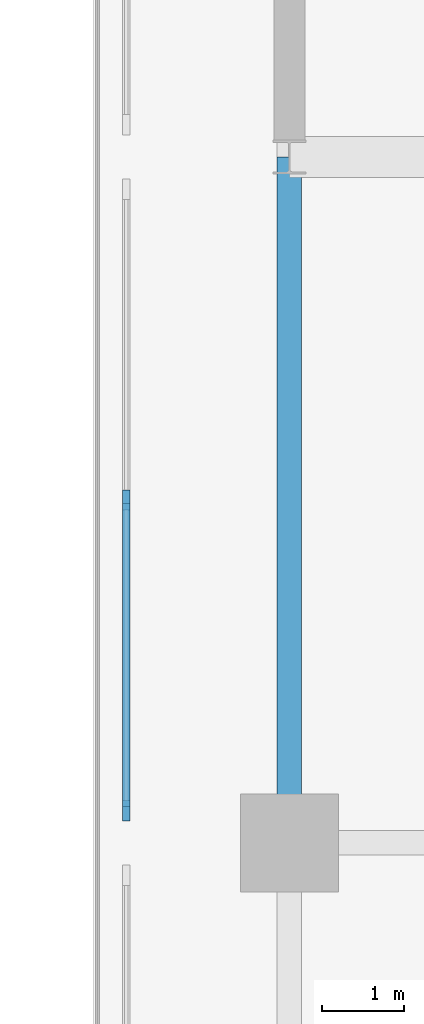
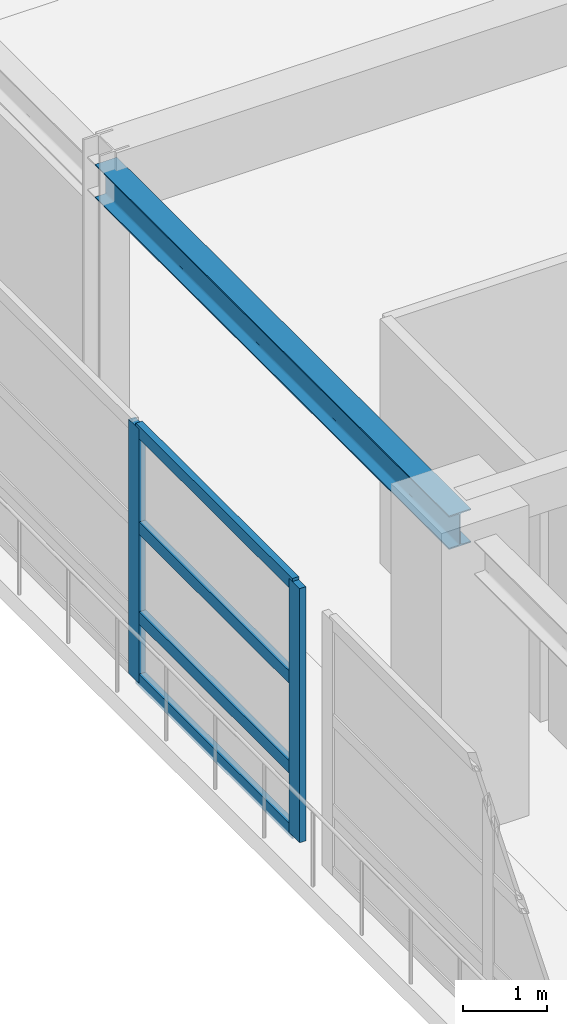
# One storey, part 21 of 65: 6 members, 1 beam, 1 element without a shape of its own.
"""IFC4 building model written with IfcOpenShell, lengths in metres."""

from ifc_helpers import new_model, si_unit, direction, frame, origin, origin_2d, place, context, subcontext, project, spatial, rectangle, i_section, extrude, material, material_profile, profile_set, type_object, element, aggregate, save


model = new_model("IFC4")

# Units and contexts
model_context = context("Model", 3, precision=1e-05, world=origin(), true_north=direction((0.0, 1.0)))
body_context = subcontext(model_context, "Body", "Model", "MODEL_VIEW")
ifc_project = project(units=[si_unit("LENGTHUNIT", "METRE"), si_unit("AREAUNIT", "SQUARE_METRE"), si_unit("VOLUMEUNIT", "CUBIC_METRE"), si_unit("PLANEANGLEUNIT", "RADIAN"), si_unit("MASSUNIT", "GRAM", prefix="KILO")], contexts=[model_context])

# Site, building, storey
site_placement = place(None, origin())
site = spatial("IfcSite", under=ifc_project, at=site_placement, CompositionType="ELEMENT")
building_placement = place(site_placement, origin())
building = spatial("IfcBuilding", under=site, at=building_placement, Name="Xuanlan Plaza Opera House", CompositionType="ELEMENT")
storey_placement = place(building_placement, frame((0.0, 0.0, 5.39990234375)))
storey = spatial("IfcBuildingStorey", under=building, at=storey_placement, Name="L01", CompositionType="ELEMENT", Elevation=5.39990234375)

# Curtain wall, members
ifc_material_1 = material(Name="Anodised Aluminium 6063-T6 and Low-E Glass", Category="aluminium")
curtain_wall_type = type_object("IfcCurtainWallType", Name="ENV-CW-CW-06", PredefinedType="USERDEFINED", material=ifc_material_1)
curtain_wall_placement = place(storey_placement, origin())
curtain_wall = element("IfcCurtainWall", 1, at=curtain_wall_placement, inside=storey, type_object=curtain_wall_type, Name="Acoustic Glazed Wall ATR-L01-23", ObjectType="ACOUSTIC GLAZED WALL", PredefinedType="USERDEFINED")
ifc_material_2 = material(Name="Anodised Aluminium 6063-T6", Category="aluminium")
ifc_material_profile_1 = material_profile(ifc_material_2, rectangle(XDim=0.090087890625, YDim=0.25, at=origin_2d()), Name="ALU-M 90x250")
ifc_profile_set_1 = profile_set([ifc_material_profile_1], Name="Anodised Aluminium 6063-T6")
member_type_1 = type_object("IfcMemberType", Name="ENV-CWM-05", PredefinedType="MULLION", material=ifc_profile_set_1)
member_1_placement = place(storey_placement, frame((124.0, 59.195068359375, 0.0), z_axis=(0.0, 0.0, 1.0), x_axis=(-1.0, 0.0, 0.0)))
member_1 = element("IfcMember", 2, at=member_1_placement, type_object=member_type_1, Name="CW-06 mullion 1", PredefinedType="MULLION", context=body_context, shape_type="SweptSolid", body=[
    extrude(rectangle(XDim=0.090087890625, YDim=0.25, at=origin_2d()), origin(), (0.0, 0.0, 1.0), 3.68017578125),
])
member_2_placement = place(storey_placement, frame((124.0, 63.0, 0.0), z_axis=(0.0, 0.0, 1.0), x_axis=(-1.0, 0.0, 0.0)))
member_2 = element("IfcMember", 3, at=member_2_placement, type_object=member_type_1, Name="CW-06 mullion 2", PredefinedType="MULLION", context=body_context, shape_type="SweptSolid", body=[
    extrude(rectangle(XDim=0.090087890625, YDim=0.25, at=origin_2d()), origin(), (0.0, 0.0, 1.0), 3.68017578125),
])
ifc_material_profile_2 = material_profile(ifc_material_2, rectangle(XDim=0.090087890625, YDim=0.179931640625, at=origin_2d()), Name="ALU-T 90x180")
ifc_profile_set_2 = profile_set([ifc_material_profile_2], Name="Anodised Aluminium 6063-T6")
member_type_2 = type_object("IfcMemberType", Name="ENV-CWT-05", PredefinedType="USERDEFINED", material=ifc_profile_set_2)
member_3_placement = place(storey_placement, frame((124.0, 59.239990234375, 0.045166015625), z_axis=(0.0, 1.0, 0.0), x_axis=(-1.0, 0.0, 0.0)))
member_3 = element("IfcMember", 4, at=member_3_placement, type_object=member_type_2, Name="CW-06 transom 1.1", ObjectType="TRANSOM", PredefinedType="USERDEFINED", context=body_context, shape_type="SweptSolid", body=[
    extrude(rectangle(XDim=0.090087890625, YDim=0.179931640625, at=origin_2d()), origin(), (0.0, 0.0, 1.0), 3.715087890625),
])
member_4_placement = place(storey_placement, frame((124.0, 59.239990234375, 0.9501953125), z_axis=(0.0, 1.0, 0.0), x_axis=(-1.0, 0.0, 0.0)))
member_4 = element("IfcMember", 5, at=member_4_placement, type_object=member_type_2, Name="CW-06 transom 1.2", ObjectType="TRANSOM", PredefinedType="USERDEFINED", context=body_context, shape_type="SweptSolid", body=[
    extrude(rectangle(XDim=0.090087890625, YDim=0.179931640625, at=origin_2d()), origin(), (0.0, 0.0, 1.0), 3.715087890625),
])
member_5_placement = place(storey_placement, frame((124.0, 59.239990234375, 2.25), z_axis=(0.0, 1.0, 0.0), x_axis=(-1.0, 0.0, 0.0)))
member_5 = element("IfcMember", 6, at=member_5_placement, type_object=member_type_2, Name="CW-06 transom 1.3", ObjectType="TRANSOM", PredefinedType="USERDEFINED", context=body_context, shape_type="SweptSolid", body=[
    extrude(rectangle(XDim=0.090087890625, YDim=0.179931640625, at=origin_2d()), origin(), (0.0, 0.0, 1.0), 3.715087890625),
])
member_6_placement = place(storey_placement, frame((124.0, 59.239990234375, 3.635009765625), z_axis=(0.0, 1.0, 0.0), x_axis=(-1.0, 0.0, 0.0)))
member_6 = element("IfcMember", 7, at=member_6_placement, type_object=member_type_2, Name="CW-06 transom 1.4", ObjectType="TRANSOM", PredefinedType="USERDEFINED", context=body_context, shape_type="SweptSolid", body=[
    extrude(rectangle(XDim=0.090087890625, YDim=0.179931640625, at=origin_2d()), origin(), (0.0, 0.0, 1.0), 3.715087890625),
])
aggregate(curtain_wall, [member_1, member_2, member_3, member_4, member_5, member_6])

# Beam
ifc_material_3 = material(Name="Steel Q355B", Category="steel")
ifc_material_profile_3 = material_profile(ifc_material_3, i_section(OverallWidth=0.300048828125, OverallDepth=0.488037109375, WebThickness=0.010986328125, FlangeThickness=0.01806640625, FilletRadius=0.02197265625, at=origin_2d()), Name="HM 488x300x11x18")
ifc_profile_set_3 = profile_set([ifc_material_profile_3], Name="Steel Q355B")
beam_type = type_object("IfcBeamType", Name="STR-BM-SB-07", PredefinedType="BEAM", material=ifc_profile_set_3)
beam_placement = place(storey_placement, frame((126.0, 58.800048828125, 3.9912109375), z_axis=(0.0, 1.0, 0.0), x_axis=(-1.0, 0.0, 0.0)))
element("IfcBeam", 8, at=beam_placement, inside=storey, type_object=beam_type, Name="Grid Beam Y L01 16/H-I", PredefinedType="BEAM", context=body_context, shape_type="SweptSolid", body=[
    extrude(i_section(OverallWidth=0.300048828125, OverallDepth=0.488037109375, WebThickness=0.010986328125, FlangeThickness=0.01806640625, FilletRadius=0.02197265625, at=origin_2d()), origin(), (0.0, 0.0, 1.0), 8.39990234375),
])

save(model, "model.ifc")
